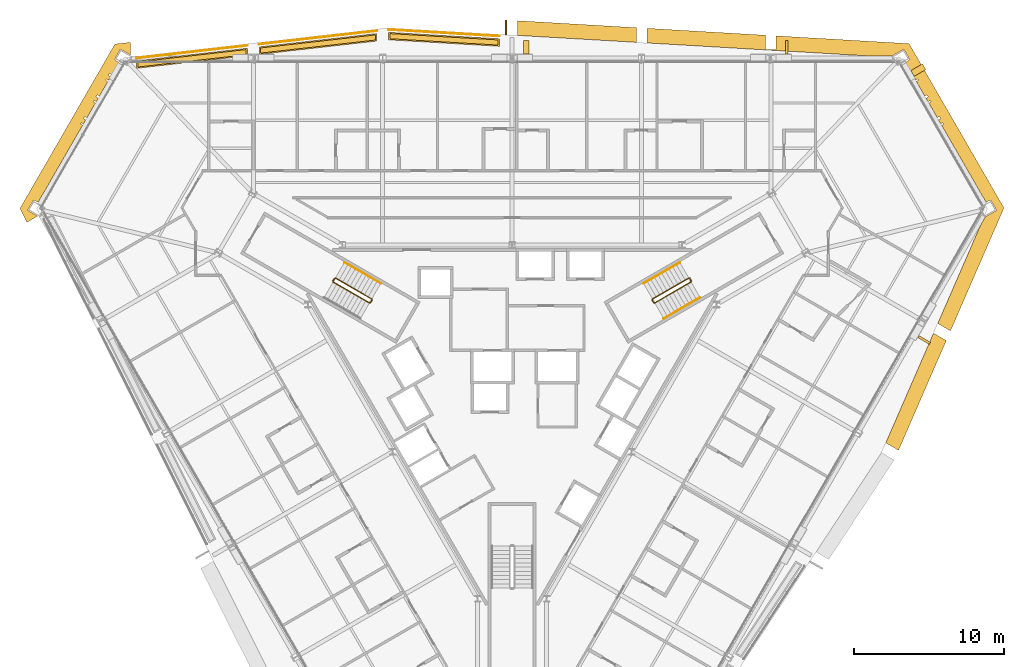
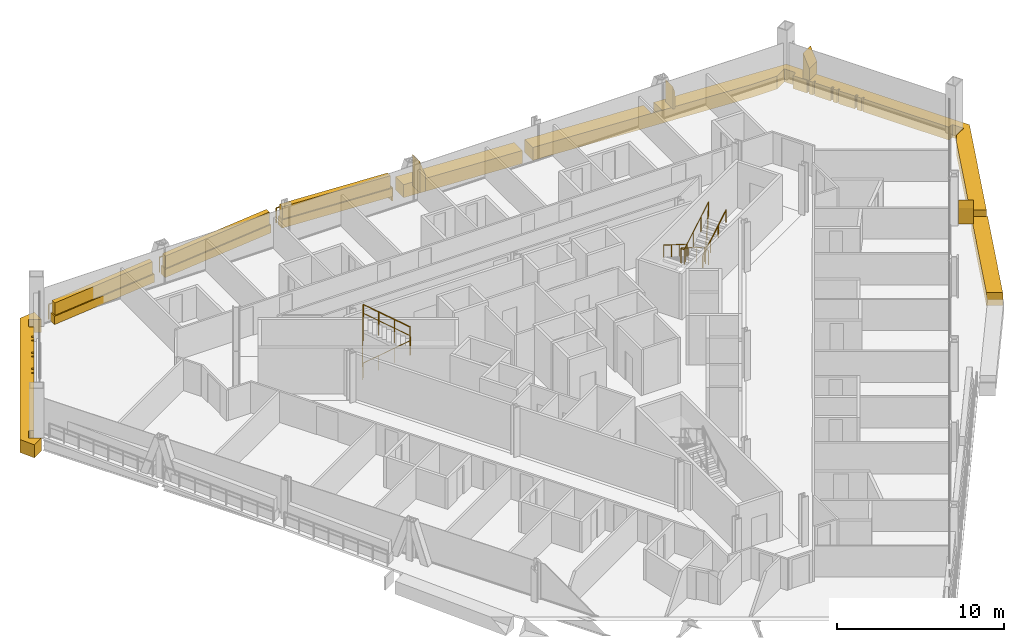
# One storey, part 18 of 18: 15 coverings, 8 railings.
"""IFC4 building model written with IfcOpenShell, lengths in metres."""

from ifc_helpers import new_model, si_unit, direction, frame, origin, origin_2d, place, context, subcontext, project, spatial, polyline, circle, outline, extrude, material, layer, layer_set, type_object, element, save


model = new_model("IFC4")

# Units and contexts
model_context = context("Model", 3, precision=1e-05, world=origin(), true_north=direction((0.0, 1.0)))
body_context = subcontext(model_context, "Body", "Model", "MODEL_VIEW")
ifc_project = project(units=[si_unit("LENGTHUNIT", "METRE"), si_unit("AREAUNIT", "SQUARE_METRE"), si_unit("VOLUMEUNIT", "CUBIC_METRE"), si_unit("PLANEANGLEUNIT", "RADIAN"), si_unit("MASSUNIT", "GRAM", prefix="KILO")], contexts=[model_context])

# Site, building, storey
site_placement = place(None, origin())
site = spatial("IfcSite", under=ifc_project, at=site_placement, CompositionType="ELEMENT")
building_placement = place(site_placement, origin())
building = spatial("IfcBuilding", under=site, at=building_placement, Name="Verrane Prism Tower", CompositionType="ELEMENT")
storey_placement = place(building_placement, frame((0.0, 0.0, 83.60009765625)))
storey = spatial("IfcBuildingStorey", under=building, at=storey_placement, Name="L19", CompositionType="ELEMENT", Elevation=83.60009765625)

# Coverings
ifc_material_1 = material(Name="Planting medium in stone kerb", Category="masonry")
covering_type_1 = type_object("IfcCoveringType", Name="Planter bed 600", PredefinedType="USERDEFINED", material=ifc_material_1)
covering_1_placement = place(storey_placement, origin())
element("IfcCovering", 1, at=covering_1_placement, inside=storey, type_object=covering_type_1, Name="Loggia planter N4 L19", ObjectType="PLANTER", PredefinedType="USERDEFINED", context=body_context, shape_type="SweptSolid", body=[
    extrude(outline(polyline([(-0.85009765625, 22.934814453125), (-8.231689453125, 23.36669921875), (-8.231689453125, 22.86669921875), (-0.85009765625, 22.434814453125), (-0.85009765625, 22.934814453125)])), origin(), (0.0, 0.0, 1.0), 0.599853515625),
])
covering_2_placement = place(storey_placement, origin())
element("IfcCovering", 2, at=covering_2_placement, inside=storey, type_object=covering_type_1, Name="Loggia planter N5 L19", ObjectType="PLANTER", PredefinedType="USERDEFINED", context=body_context, shape_type="SweptSolid", body=[
    extrude(outline(polyline([(-9.03173828125, 23.285400390625), (-16.86376953125, 22.395751953125), (-16.86376953125, 21.895751953125), (-9.03173828125, 22.785400390625), (-9.03173828125, 23.285400390625)])), origin(), (0.0, 0.0, 1.0), 0.599853515625),
])
covering_3_placement = place(storey_placement, origin())
element("IfcCovering", 3, at=covering_3_placement, inside=storey, type_object=covering_type_1, Name="Loggia planter N6 L19", ObjectType="PLANTER", PredefinedType="USERDEFINED", context=body_context, shape_type="SweptSolid", body=[
    extrude(outline(polyline([(-17.663818359375, 22.304931640625), (-25.04541015625, 21.466552734375), (-25.04541015625, 20.966552734375), (-17.663818359375, 21.804931640625), (-17.663818359375, 22.304931640625)])), origin(), (0.0, 0.0, 1.0), 0.599853515625),
])
ifc_material_2 = material(Name="Planted shrubs and grasses", Category="other")
covering_type_2 = type_object("IfcCoveringType", Name="Planting mass 1000", PredefinedType="USERDEFINED", material=ifc_material_2)
covering_4_placement = place(storey_placement, frame((0.0, 0.0, 0.599853515625)))
element("IfcCovering", 4, at=covering_4_placement, inside=storey, type_object=covering_type_2, Name="Loggia planting N4 L19", ObjectType="PLANTING", PredefinedType="USERDEFINED", context=body_context, shape_type="SweptSolid", body=[
    extrude(outline(polyline([(-8.15185546875, 23.281982421875), (-8.15185546875, 22.9423828125), (-0.929931640625, 22.519775390625), (-0.929931640625, 22.859375), (-8.15185546875, 23.281982421875)])), origin(), (0.0, 0.0, 1.0), 0.900146484375),
])
covering_5_placement = place(storey_placement, frame((0.0, 0.0, 0.599853515625)))
element("IfcCovering", 5, at=covering_5_placement, inside=storey, type_object=covering_type_2, Name="Loggia planting N5 L19", ObjectType="PLANTING", PredefinedType="USERDEFINED", context=body_context, shape_type="SweptSolid", body=[
    extrude(outline(polyline([(-16.78369140625, 22.324462890625), (-16.78369140625, 21.9853515625), (-9.11181640625, 22.856689453125), (-9.11181640625, 23.19580078125), (-16.78369140625, 22.324462890625)])), origin(), (0.0, 0.0, 1.0), 0.900146484375),
])
covering_6_placement = place(storey_placement, frame((0.0, 0.0, 0.599853515625)))
element("IfcCovering", 6, at=covering_6_placement, inside=storey, type_object=covering_type_2, Name="Loggia planting N6 L19", ObjectType="PLANTING", PredefinedType="USERDEFINED", context=body_context, shape_type="SweptSolid", body=[
    extrude(outline(polyline([(-24.965576171875, 21.39501953125), (-24.965576171875, 21.05615234375), (-17.74365234375, 21.87646484375), (-17.74365234375, 22.21533203125), (-24.965576171875, 21.39501953125)])), origin(), (0.0, 0.0, 1.0), 0.900146484375),
])

# Railings
ifc_material_3 = material(Name="Steel A36 rail and posts, no infill", Category="steel")
railing_type_1 = type_object("IfcRailingType", Name="Stair guard 1100 steel rail and posts", PredefinedType="GUARDRAIL", material=ifc_material_3)
railing_1_placement = place(storey_placement, frame((11.78955078125, 6.97998046875, 0.16357421875)))
element("IfcRailing", 7, at=railing_1_placement, inside=storey, type_object=railing_type_1, Name="Stair 1 guard", PredefinedType="GUARDRAIL", context=body_context, shape_type="SweptSolid", body=[
    extrude(circle(Radius=0.02392578125, at=origin_2d()), frame((0.0, 0.0, 1.076171875), z_axis=(-0.747693913401, -0.431738279637, 0.504535300807), x_axis=(0.500049511043, -0.865996816683, 0.0)), (0.0, 0.0, 1.0), 3.2431640625),
    extrude(circle(Radius=0.02392578125, at=origin_2d()), frame((-2.4248046875, -1.400146484375, 2.71240234375), z_axis=(-0.259601060869, -0.965715946433, 0.0), x_axis=(0.965715946433, -0.259601060869, 0.0)), (0.0, 0.0, 1.0), 0.070556640625),
    extrude(circle(Radius=0.02392578125, at=origin_2d()), frame((-2.443115234375, -1.46826171875, 2.71240234375), z_axis=(0.499158860599, -0.866510491504, 0.0), x_axis=(0.866510491504, 0.499158860599, 0.0)), (0.0, 0.0, 1.0), 0.199951171875),
    extrude(circle(Radius=0.02392578125, at=origin_2d()), frame((-2.34326171875, -1.6416015625, 2.71240234375), z_axis=(0.383070988865, -0.102608300589, 0.918002262601), x_axis=(0.258736085224, 0.965948051503, 0.0)), (0.0, 0.0, 1.0), 0.178466796875),
    extrude(circle(Radius=0.02392578125, at=origin_2d()), frame((-2.27490234375, -1.659912109375, 2.8759765625), z_axis=(0.747693913401, 0.431738279637, 0.504535300807), x_axis=(-0.500049511043, 0.865996816683, 0.0)), (0.0, 0.0, 1.0), 3.2431640625),
    extrude(circle(Radius=0.02392578125, at=origin_2d()), frame((0.14990234375, -0.259765625, 4.51220703125), z_axis=(-0.022595193939, 0.066906128161, -0.9975033971), x_axis=(-0.947430582667, -0.3199613899, 0.0)), (0.0, 0.0, 1.0), 3.60888671875),
    extrude(circle(Radius=0.02392578125, at=origin_2d()), frame((0.068359375, -0.018310546875, 0.91259765625), z_axis=(0.499158860599, -0.866510491504, 0.0), x_axis=(0.866510491504, 0.499158860599, 0.0)), (0.0, 0.0, 1.0), 0.199951171875),
    extrude(circle(Radius=0.02099609375, at=origin_2d()), origin(), (0.0, 0.0, 1.0), 1.052001953125),
    extrude(circle(Radius=0.02099609375, at=origin_2d()), frame((-0.808349609375, -0.466796875, 0.54541015625)), (0.0, 0.0, 1.0), 1.052001953125),
    extrude(circle(Radius=0.02099609375, at=origin_2d()), frame((-1.616455078125, -0.933349609375, 1.0908203125)), (0.0, 0.0, 1.0), 1.052001953125),
    extrude(circle(Radius=0.02099609375, at=origin_2d()), frame((-2.4248046875, -1.400146484375, 1.63623046875)), (0.0, 0.0, 1.0), 1.052001953125),
    extrude(circle(Radius=0.02099609375, at=origin_2d()), frame((-2.443115234375, -1.46826171875, 1.63623046875)), (0.0, 0.0, 1.0), 1.052001953125),
    extrude(circle(Radius=0.02099609375, at=origin_2d()), frame((-2.34326171875, -1.6416015625, 1.63623046875)), (0.0, 0.0, 1.0), 1.052001953125),
    extrude(circle(Radius=0.02099609375, at=origin_2d()), frame((-2.27490234375, -1.659912109375, 1.800048828125)), (0.0, 0.0, 1.0), 1.052001953125),
    extrude(circle(Radius=0.02099609375, at=origin_2d()), frame((-1.466552734375, -1.193115234375, 2.345458984375)), (0.0, 0.0, 1.0), 1.052001953125),
    extrude(circle(Radius=0.02099609375, at=origin_2d()), frame((-0.658447265625, -0.7265625, 2.890869140625)), (0.0, 0.0, 1.0), 1.052001953125),
    extrude(circle(Radius=0.02099609375, at=origin_2d()), frame((0.14990234375, -0.259765625, 3.436279296875)), (0.0, 0.0, 1.0), 1.052001953125),
    extrude(circle(Radius=0.02099609375, at=origin_2d()), frame((0.12939453125, -0.199462890625, 2.536376953125)), (0.0, 0.0, 1.0), 1.052001953125),
    extrude(circle(Radius=0.02099609375, at=origin_2d()), frame((0.109130859375, -0.13916015625, 1.63623046875)), (0.0, 0.0, 1.0), 1.052001953125),
    extrude(circle(Radius=0.02099609375, at=origin_2d()), frame((0.0888671875, -0.07861328125, 0.736328125)), (0.0, 0.0, 1.0), 1.052001953125),
    extrude(circle(Radius=0.02099609375, at=origin_2d()), frame((0.068359375, -0.018310546875, -0.16357421875)), (0.0, 0.0, 1.0), 1.052001953125),
    extrude(circle(Radius=0.02099609375, at=origin_2d()), frame((0.168212890625, -0.191650390625, -0.16357421875)), (0.0, 0.0, 1.0), 1.052001953125),
])
railing_2_placement = place(storey_placement, frame((-11.939453125, 6.72021484375, 0.16357421875)))
element("IfcRailing", 8, at=railing_2_placement, inside=storey, type_object=railing_type_1, Name="Stair 2 guard", PredefinedType="GUARDRAIL", context=body_context, shape_type="SweptSolid", body=[
    extrude(circle(Radius=0.02392578125, at=origin_2d()), frame((0.0, 0.0, 1.076171875), z_axis=(0.747693913401, -0.431738279637, 0.504535300807), x_axis=(0.500049511043, 0.865996816683, 0.0)), (0.0, 0.0, 1.0), 3.2431640625),
    extrude(circle(Radius=0.02392578125, at=origin_2d()), frame((2.4248046875, -1.400146484375, 2.71240234375), z_axis=(0.965948051503, 0.258736085224, 0.0), x_axis=(-0.258736085224, 0.965948051503, 0.0)), (0.0, 0.0, 1.0), 0.07080078125),
    extrude(circle(Radius=0.02392578125, at=origin_2d()), frame((2.4931640625, -1.3818359375, 2.71240234375), z_axis=(0.499158860599, 0.866510491504, 0.0), x_axis=(-0.866510491504, 0.499158860599, 0.0)), (0.0, 0.0, 1.0), 0.199951171875),
    extrude(circle(Radius=0.02392578125, at=origin_2d()), frame((2.593017578125, -1.20849609375, 2.71240234375), z_axis=(-0.10266202204, 0.381902721988, 0.918482890515), x_axis=(-0.965715946433, -0.259601060869, 0.0)), (0.0, 0.0, 1.0), 0.178466796875),
    extrude(circle(Radius=0.02392578125, at=origin_2d()), frame((2.57470703125, -1.140380859375, 2.8759765625), z_axis=(-0.747693913401, 0.431738279637, 0.504535300807), x_axis=(-0.500049511043, -0.865996816683, 0.0)), (0.0, 0.0, 1.0), 3.2431640625),
    extrude(circle(Radius=0.02392578125, at=origin_2d()), frame((0.14990234375, 0.259765625, 4.51220703125), z_axis=(-0.046610908435, -0.053105316576, -0.997500500534), x_axis=(0.751567565678, -0.659656118156, 0.0)), (0.0, 0.0, 1.0), 3.60888671875),
    extrude(circle(Radius=0.02392578125, at=origin_2d()), frame((-0.018310546875, 0.068115234375, 0.91259765625), z_axis=(0.499158860599, 0.866510491504, 0.0), x_axis=(-0.866510491504, 0.499158860599, 0.0)), (0.0, 0.0, 1.0), 0.199951171875),
    extrude(circle(Radius=0.02099609375, at=origin_2d()), origin(), (0.0, 0.0, 1.0), 1.052001953125),
    extrude(circle(Radius=0.02099609375, at=origin_2d()), frame((0.808349609375, -0.466796875, 0.54541015625)), (0.0, 0.0, 1.0), 1.052001953125),
    extrude(circle(Radius=0.02099609375, at=origin_2d()), frame((1.616455078125, -0.933349609375, 1.0908203125)), (0.0, 0.0, 1.0), 1.052001953125),
    extrude(circle(Radius=0.02099609375, at=origin_2d()), frame((2.4248046875, -1.400146484375, 1.63623046875)), (0.0, 0.0, 1.0), 1.052001953125),
    extrude(circle(Radius=0.02099609375, at=origin_2d()), frame((2.4931640625, -1.3818359375, 1.63623046875)), (0.0, 0.0, 1.0), 1.052001953125),
    extrude(circle(Radius=0.02099609375, at=origin_2d()), frame((2.593017578125, -1.20849609375, 1.63623046875)), (0.0, 0.0, 1.0), 1.052001953125),
    extrude(circle(Radius=0.02099609375, at=origin_2d()), frame((2.57470703125, -1.140380859375, 1.800048828125)), (0.0, 0.0, 1.0), 1.052001953125),
    extrude(circle(Radius=0.02099609375, at=origin_2d()), frame((1.766357421875, -0.673583984375, 2.345458984375)), (0.0, 0.0, 1.0), 1.052001953125),
    extrude(circle(Radius=0.02099609375, at=origin_2d()), frame((0.958251953125, -0.20703125, 2.890869140625)), (0.0, 0.0, 1.0), 1.052001953125),
    extrude(circle(Radius=0.02099609375, at=origin_2d()), frame((0.14990234375, 0.259765625, 3.436279296875)), (0.0, 0.0, 1.0), 1.052001953125),
    extrude(circle(Radius=0.02099609375, at=origin_2d()), frame((0.10791015625, 0.2119140625, 2.536376953125)), (0.0, 0.0, 1.0), 1.052001953125),
    extrude(circle(Radius=0.02099609375, at=origin_2d()), frame((0.06591796875, 0.1640625, 1.63623046875)), (0.0, 0.0, 1.0), 1.052001953125),
    extrude(circle(Radius=0.02099609375, at=origin_2d()), frame((0.023681640625, 0.115966796875, 0.736328125)), (0.0, 0.0, 1.0), 1.052001953125),
    extrude(circle(Radius=0.02099609375, at=origin_2d()), frame((-0.018310546875, 0.068115234375, -0.16357421875)), (0.0, 0.0, 1.0), 1.052001953125),
    extrude(circle(Radius=0.02099609375, at=origin_2d()), frame((0.08154296875, 0.241455078125, -0.16357421875)), (0.0, 0.0, 1.0), 1.052001953125),
])
ifc_material_4 = material(Name="Steel A36 tube", Category="steel")
railing_type_2 = type_object("IfcRailingType", Name="Stair handrail 900 steel tube", PredefinedType="HANDRAIL", material=ifc_material_4)
railing_3_placement = place(storey_placement, frame((11.189453125, 8.01904296875, 0.16357421875)))
element("IfcRailing", 9, at=railing_3_placement, inside=storey, type_object=railing_type_2, Name="Stair 1 handrail", PredefinedType="HANDRAIL", context=body_context, shape_type="SweptSolid", body=[
    extrude(circle(Radius=0.02392578125, at=origin_2d()), frame((0.0, 0.0, 0.8759765625), z_axis=(-0.74771821388, -0.431677027627, 0.504551698492), x_axis=(0.49998411664, -0.866034573852, 0.0)), (0.0, 0.0, 1.0), 3.242919921875),
    extrude(circle(Radius=0.02099609375, at=origin_2d()), origin(), (0.0, 0.0, 1.0), 0.851806640625),
    extrude(circle(Radius=0.02099609375, at=origin_2d()), frame((-0.808349609375, -0.466552734375, 0.54541015625)), (0.0, 0.0, 1.0), 0.851806640625),
    extrude(circle(Radius=0.02099609375, at=origin_2d()), frame((-1.616455078125, -0.933349609375, 1.0908203125)), (0.0, 0.0, 1.0), 0.851806640625),
    extrude(circle(Radius=0.02099609375, at=origin_2d()), frame((-2.4248046875, -1.39990234375, 1.63623046875)), (0.0, 0.0, 1.0), 0.851806640625),
])
railing_4_placement = place(storey_placement, frame((10.11474609375, 4.28076171875, 1.963623046875)))
element("IfcRailing", 10, at=railing_4_placement, inside=storey, type_object=railing_type_2, Name="Stair 1 handrail", PredefinedType="HANDRAIL", context=body_context, shape_type="SweptSolid", body=[
    extrude(circle(Radius=0.02392578125, at=origin_2d()), frame((0.0, 0.0, 0.8759765625), z_axis=(0.747693913401, 0.431738279637, 0.504535300807), x_axis=(-0.500049511043, 0.865996816683, 0.0)), (0.0, 0.0, 1.0), 3.2431640625),
    extrude(circle(Radius=0.02099609375, at=origin_2d()), origin(), (0.0, 0.0, 1.0), 0.851806640625),
    extrude(circle(Radius=0.02099609375, at=origin_2d()), frame((0.808349609375, 0.466796875, 0.54541015625)), (0.0, 0.0, 1.0), 0.851806640625),
    extrude(circle(Radius=0.02099609375, at=origin_2d()), frame((1.616455078125, 0.933349609375, 1.0908203125)), (0.0, 0.0, 1.0), 0.851806640625),
    extrude(circle(Radius=0.02099609375, at=origin_2d()), frame((2.4248046875, 1.400146484375, 1.63623046875)), (0.0, 0.0, 1.0), 0.851806640625),
])
railing_5_placement = place(storey_placement, frame((-8.7646484375, 6.619140625, 1.963623046875)))
element("IfcRailing", 11, at=railing_5_placement, inside=storey, type_object=railing_type_2, Name="Stair 2 handrail", PredefinedType="HANDRAIL", context=body_context, shape_type="SweptSolid", body=[
    extrude(circle(Radius=0.02392578125, at=origin_2d()), frame((0.0, 0.0, 0.8759765625), z_axis=(-0.74771821388, 0.431677027627, 0.504551698492), x_axis=(-0.49998411664, -0.866034573852, 0.0)), (0.0, 0.0, 1.0), 3.242919921875),
    extrude(circle(Radius=0.02099609375, at=origin_2d()), origin(), (0.0, 0.0, 1.0), 0.851806640625),
    extrude(circle(Radius=0.02099609375, at=origin_2d()), frame((-0.808349609375, 0.466552734375, 0.54541015625)), (0.0, 0.0, 1.0), 0.851806640625),
    extrude(circle(Radius=0.02099609375, at=origin_2d()), frame((-1.616455078125, 0.933349609375, 1.0908203125)), (0.0, 0.0, 1.0), 0.851806640625),
    extrude(circle(Radius=0.02099609375, at=origin_2d()), frame((-2.4248046875, 1.39990234375, 1.63623046875)), (0.0, 0.0, 1.0), 0.851806640625),
])

# Coverings
ifc_material_5 = material(Name="Warm limestone cladding", Category="masonry")
ifc_layer_1 = layer(ifc_material_5, 0.89990234375)
ifc_layer_set_1 = layer_set([ifc_layer_1], Name="Stone brace fin 900")
covering_type_3 = type_object("IfcCoveringType", Name="Stone brace fin 900", PredefinedType="CLADDING", material=ifc_layer_set_1)
covering_7_placement = place(storey_placement, frame((18.395751953125, 22.3740234375, 0.0), z_axis=(0.0, 0.0, 1.0), x_axis=(-1.0, 0.0, 0.0)))
element("IfcCovering", 12, at=covering_7_placement, inside=storey, type_object=covering_type_3, Name="Stone brace fin N1 L19", PredefinedType="CLADDING", context=body_context, shape_type="SweptSolid", body=[
    extrude(outline(polyline([(0.0, 0.0), (0.1533203125, 0.0), (0.1533203125, 1.640869140625), (0.0, 1.1806640625), (0.0, 0.0)])), frame((0.0, 0.449951171875, 0.0), z_axis=(0.0, -1.0, 0.0), x_axis=(1.0, 0.0, 0.0)), (0.0, 0.0, 1.0), 0.89990234375),
])
covering_8_placement = place(storey_placement, frame((1.134033203125, 22.3740234375, 0.0), z_axis=(0.0, 0.0, 1.0), x_axis=(-1.0, 0.0, 0.0)))
element("IfcCovering", 13, at=covering_8_placement, inside=storey, type_object=covering_type_3, Name="Stone brace fin N3 L19", PredefinedType="CLADDING", context=body_context, shape_type="SweptSolid", body=[
    extrude(outline(polyline([(0.0, 0.0), (0.37548828125, 0.0), (0.37548828125, 2.30322265625), (0.0, 1.178466796875), (0.0, 0.0)])), frame((0.0, 0.449951171875, 0.0), z_axis=(0.0, -1.0, 0.0), x_axis=(1.0, 0.0, 0.0)), (0.0, 0.0, 1.0), 0.89990234375),
])
covering_9_placement = place(storey_placement, frame((27.44140625, 2.7841796875, 0.0), z_axis=(0.0, 0.0, 1.0), x_axis=(0.501789607791, 0.864989704859, 0.0)))
element("IfcCovering", 14, at=covering_9_placement, inside=storey, type_object=covering_type_3, Name="Stone brace fin SE5 L19", PredefinedType="CLADDING", context=body_context, shape_type="SweptSolid", body=[
    extrude(outline(polyline([(0.0, 0.0), (0.1533203125, 0.0), (0.1533203125, 1.641845703125), (0.0, 1.181640625), (0.0, 0.0)])), frame((0.0, 0.449951171875, 0.0), z_axis=(0.0, -1.0, 0.0), x_axis=(1.0, 0.0, 0.0)), (0.0, 0.0, 1.0), 0.89990234375),
])
covering_10_placement = place(storey_placement, frame((27.206787109375, 20.65966796875, 0.0), z_axis=(0.0, 0.0, 1.0), x_axis=(-0.498926803891, 0.866644127863, 0.0)))
element("IfcCovering", 15, at=covering_10_placement, inside=storey, type_object=covering_type_3, Name="Stone brace fin NE1 L19", PredefinedType="CLADDING", context=body_context, shape_type="SweptSolid", body=[
    extrude(outline(polyline([(0.0, 0.0), (0.44287109375, 0.0), (0.44287109375, 1.837890625), (0.0, 0.8525390625), (0.0, 0.0)])), frame((0.0, 0.449951171875, 0.0), z_axis=(0.0, -1.0, 0.0), x_axis=(1.0, 0.0, 0.0)), (0.0, 0.0, 1.0), 0.89990234375),
])
ifc_material_6 = material(Name="Warm limestone cladding", Category="masonry")
ifc_layer_2 = layer(ifc_material_6, 0.449951171875)
ifc_layer_set_2 = layer_set([ifc_layer_2], Name="Stone spandrel band 450")
covering_type_4 = type_object("IfcCoveringType", Name="Stone spandrel band 450", PredefinedType="CLADDING", material=ifc_layer_set_2)
covering_11_placement = place(storey_placement, frame((0.0, 0.0, -0.9501953125)))
element("IfcCovering", 16, at=covering_11_placement, inside=storey, type_object=covering_type_4, Name="Stone spandrel band L19 part 1", PredefinedType="CLADDING", context=body_context, shape_type="SweptSolid", body=[
    extrude(outline(polyline([(8.981689453125, 22.65966796875), (23.616455078125, 21.803466796875), (25.37109375, 21.803466796875), (26.125732421875, 22.239013671875), (26.505615234375, 21.580810546875), (26.486328125, 21.56982421875), (26.436279296875, 21.486572265625), (26.2255859375, 21.36474609375), (26.698486328125, 20.545654296875), (26.845458984375, 20.63037109375), (26.9228515625, 20.49609375), (26.776123046875, 20.411376953125), (26.912109375, 20.17578125), (27.05859375, 20.260498046875), (27.106689453125, 20.17724609375), (26.960205078125, 20.0927734375), (27.525634765625, 19.11328125), (27.67138671875, 19.197265625), (27.751220703125, 19.05908203125), (27.605224609375, 18.97509765625), (27.7431640625, 18.736572265625), (27.888671875, 18.8203125), (27.936767578125, 18.7373046875), (27.791015625, 18.6533203125), (28.356689453125, 17.673828125), (28.50146484375, 17.75732421875), (28.5810546875, 17.619140625), (28.436279296875, 17.535888671875), (28.587646484375, 17.273681640625), (28.743896484375, 17.322998046875), (28.773193359375, 17.230712890625), (28.63720703125, 17.187744140625), (31.61572265625, 12.02880859375), (31.822265625, 12.148193359375), (31.916748046875, 12.148193359375), (31.935791015625, 12.1591796875), (32.315673828125, 11.5009765625), (31.566650390625, 11.068603515625), (31.242919921875, 10.5078125), (28.38818359375, 3.948486328125), (29.24072265625, 3.456298828125), (32.80810546875, 11.653076171875), (26.47900390625, 22.615478515625), (17.61376953125, 23.13427734375), (17.61376953125, 22.214599609375), (16.913818359375, 22.214599609375), (16.913818359375, 23.17529296875), (8.981689453125, 23.639404296875), (8.981689453125, 22.65966796875)])), origin(), (0.0, 0.0, 1.0), 0.9501953125),
])
covering_12_placement = place(storey_placement, frame((0.0, 0.0, -0.9501953125)))
element("IfcCovering", 17, at=covering_12_placement, inside=storey, type_object=covering_type_4, Name="Stone spandrel band L19 part 3", PredefinedType="CLADDING", context=body_context, shape_type="SweptSolid", body=[
    extrude(outline(polyline([(-32.36083984375, 10.698486328125), (-31.643310546875, 11.11279296875), (-32.315673828125, 11.5009765625), (-31.935791015625, 12.1591796875), (-31.916748046875, 12.148193359375), (-31.822265625, 12.148193359375), (-31.61572265625, 12.02880859375), (-28.63720703125, 17.187744140625), (-28.773193359375, 17.230712890625), (-28.743896484375, 17.322998046875), (-28.587646484375, 17.273681640625), (-28.436279296875, 17.535888671875), (-28.5810546875, 17.619140625), (-28.50146484375, 17.75732421875), (-28.356689453125, 17.673828125), (-27.791015625, 18.6533203125), (-27.936767578125, 18.7373046875), (-27.888671875, 18.8203125), (-27.7431640625, 18.736572265625), (-27.605224609375, 18.97509765625), (-27.751220703125, 19.05908203125), (-27.67138671875, 19.197265625), (-27.525634765625, 19.11328125), (-26.960205078125, 20.0927734375), (-27.106689453125, 20.17724609375), (-27.05859375, 20.260498046875), (-26.912109375, 20.17578125), (-26.776123046875, 20.411376953125), (-26.9228515625, 20.49609375), (-26.845458984375, 20.63037109375), (-26.698486328125, 20.545654296875), (-26.2255859375, 21.36474609375), (-26.436279296875, 21.486572265625), (-26.486328125, 21.56982421875), (-26.505615234375, 21.580810546875), (-26.125732421875, 22.239013671875), (-25.445556640625, 21.846435546875), (-25.445556640625, 22.70556640625), (-26.495849609375, 22.586181640625), (-32.8251953125, 11.623779296875), (-32.36083984375, 10.698486328125)])), origin(), (0.0, 0.0, 1.0), 0.9501953125),
])
covering_13_placement = place(storey_placement, frame((0.0, 0.0, -0.9501953125)))
element("IfcCovering", 18, at=covering_13_placement, inside=storey, type_object=covering_type_4, Name="Stone spandrel band L19 part 7", PredefinedType="CLADDING", context=body_context, shape_type="SweptSolid", body=[
    extrude(outline(polyline([(25.77392578125, -4.50927734375), (28.959716796875, 2.810302734375), (28.107177734375, 3.302490234375), (24.92138671875, -4.01708984375), (25.77392578125, -4.50927734375)])), origin(), (0.0, 0.0, 1.0), 0.9501953125),
])
covering_14_placement = place(storey_placement, frame((0.0, 0.0, -0.9501953125)))
element("IfcCovering", 19, at=covering_14_placement, inside=storey, type_object=covering_type_4, Name="Stone spandrel band L19 part 8", PredefinedType="CLADDING", context=body_context, shape_type="SweptSolid", body=[
    extrude(outline(polyline([(0.35009765625, 23.164794921875), (8.28173828125, 22.70068359375), (8.28173828125, 23.680419921875), (0.35009765625, 24.144287109375), (0.35009765625, 23.164794921875)])), origin(), (0.0, 0.0, 1.0), 0.9501953125),
])
covering_15_placement = place(storey_placement, frame((0.0, 0.0, -0.9501953125)))
element("IfcCovering", 20, at=covering_15_placement, inside=storey, type_object=covering_type_4, Name="Stone spandrel band L19 part 11", PredefinedType="CLADDING", context=body_context, shape_type="SweptSolid", body=[
    extrude(outline(polyline([(-0.35009765625, 24.185302734375), (-0.449951171875, 24.19140625), (-0.449951171875, 23.21142578125), (-0.35009765625, 23.20556640625), (-0.35009765625, 24.185302734375)])), origin(), (0.0, 0.0, 1.0), 0.9501953125),
])

# Railings
ifc_material_7 = material(Name="Stainless steel and laminated glass", Category="steel")
railing_type_3 = type_object("IfcRailingType", Name="Terrace guard 1100", PredefinedType="GUARDRAIL", material=ifc_material_7)
railing_6_placement = place(storey_placement, frame((-0.85009765625, 23.114990234375, 0.0)))
element("IfcRailing", 21, at=railing_6_placement, inside=storey, type_object=railing_type_3, Name="Loggia guard N4 L19", PredefinedType="GUARDRAIL", context=body_context, shape_type="SweptSolid", body=[
    extrude(circle(Radius=0.02392578125, at=origin_2d()), frame((0.0, 0.0, 1.076171875), z_axis=(-0.99829276835, 0.05840846394, 0.0), x_axis=(-0.05840846394, -0.99829276835, 0.0)), (0.0, 0.0, 1.0), 7.394287109375),
    extrude(circle(Radius=0.02099609375, at=origin_2d()), origin(), (0.0, 0.0, 1.0), 1.052001953125),
    extrude(circle(Radius=0.02099609375, at=origin_2d()), frame((-1.054443359375, 0.061767578125, 0.0)), (0.0, 0.0, 1.0), 1.052001953125),
    extrude(circle(Radius=0.02099609375, at=origin_2d()), frame((-2.109130859375, 0.123291015625, 0.0)), (0.0, 0.0, 1.0), 1.052001953125),
    extrude(circle(Radius=0.02099609375, at=origin_2d()), frame((-3.16357421875, 0.18505859375, 0.0)), (0.0, 0.0, 1.0), 1.052001953125),
    extrude(circle(Radius=0.02099609375, at=origin_2d()), frame((-4.218017578125, 0.246826171875, 0.0)), (0.0, 0.0, 1.0), 1.052001953125),
    extrude(circle(Radius=0.02099609375, at=origin_2d()), frame((-5.2724609375, 0.30859375, 0.0)), (0.0, 0.0, 1.0), 1.052001953125),
    extrude(circle(Radius=0.02099609375, at=origin_2d()), frame((-6.3271484375, 0.3701171875, 0.0)), (0.0, 0.0, 1.0), 1.052001953125),
    extrude(circle(Radius=0.02099609375, at=origin_2d()), frame((-7.381591796875, 0.431884765625, 0.0)), (0.0, 0.0, 1.0), 1.052001953125),
])
railing_7_placement = place(storey_placement, frame((-9.03173828125, 23.46533203125, 0.0)))
element("IfcRailing", 22, at=railing_7_placement, inside=storey, type_object=railing_type_3, Name="Loggia guard N5 L19", PredefinedType="GUARDRAIL", context=body_context, shape_type="SweptSolid", body=[
    extrude(circle(Radius=0.02392578125, at=origin_2d()), frame((0.0, 0.0, 1.076171875), z_axis=(-0.993610308014, -0.112865210798, 0.0), x_axis=(0.112865210798, -0.993610308014, 0.0)), (0.0, 0.0, 1.0), 7.88232421875),
    extrude(circle(Radius=0.02099609375, at=origin_2d()), origin(), (0.0, 0.0, 1.0), 1.052001953125),
    extrude(circle(Radius=0.02099609375, at=origin_2d()), frame((-1.118896484375, -0.127197265625, 0.0)), (0.0, 0.0, 1.0), 1.052001953125),
    extrude(circle(Radius=0.02099609375, at=origin_2d()), frame((-2.23779296875, -0.254150390625, 0.0)), (0.0, 0.0, 1.0), 1.052001953125),
    extrude(circle(Radius=0.02099609375, at=origin_2d()), frame((-3.356689453125, -0.38134765625, 0.0)), (0.0, 0.0, 1.0), 1.052001953125),
    extrude(circle(Radius=0.02099609375, at=origin_2d()), frame((-4.475341796875, -0.50830078125, 0.0)), (0.0, 0.0, 1.0), 1.052001953125),
    extrude(circle(Radius=0.02099609375, at=origin_2d()), frame((-5.59423828125, -0.635498046875, 0.0)), (0.0, 0.0, 1.0), 1.052001953125),
    extrude(circle(Radius=0.02099609375, at=origin_2d()), frame((-6.713134765625, -0.762451171875, 0.0)), (0.0, 0.0, 1.0), 1.052001953125),
    extrude(circle(Radius=0.02099609375, at=origin_2d()), frame((-7.83203125, -0.8896484375, 0.0)), (0.0, 0.0, 1.0), 1.052001953125),
])
railing_8_placement = place(storey_placement, frame((-17.663818359375, 22.485107421875, 0.0)))
element("IfcRailing", 23, at=railing_8_placement, inside=storey, type_object=railing_type_3, Name="Loggia guard N6 L19", PredefinedType="GUARDRAIL", context=body_context, shape_type="SweptSolid", body=[
    extrude(circle(Radius=0.02392578125, at=origin_2d()), frame((0.0, 0.0, 1.076171875), z_axis=(-0.993608187141, -0.112883880365, 0.0), x_axis=(0.112883880365, -0.993608187141, 0.0)), (0.0, 0.0, 1.0), 7.428955078125),
    extrude(circle(Radius=0.02099609375, at=origin_2d()), origin(), (0.0, 0.0, 1.0), 1.052001953125),
    extrude(circle(Radius=0.02099609375, at=origin_2d()), frame((-1.054443359375, -0.119873046875, 0.0)), (0.0, 0.0, 1.0), 1.052001953125),
    extrude(circle(Radius=0.02099609375, at=origin_2d()), frame((-2.109130859375, -0.239501953125, 0.0)), (0.0, 0.0, 1.0), 1.052001953125),
    extrude(circle(Radius=0.02099609375, at=origin_2d()), frame((-3.16357421875, -0.359375, 0.0)), (0.0, 0.0, 1.0), 1.052001953125),
    extrude(circle(Radius=0.02099609375, at=origin_2d()), frame((-4.218017578125, -0.479248046875, 0.0)), (0.0, 0.0, 1.0), 1.052001953125),
    extrude(circle(Radius=0.02099609375, at=origin_2d()), frame((-5.2724609375, -0.59912109375, 0.0)), (0.0, 0.0, 1.0), 1.052001953125),
    extrude(circle(Radius=0.02099609375, at=origin_2d()), frame((-6.3271484375, -0.71875, 0.0)), (0.0, 0.0, 1.0), 1.052001953125),
    extrude(circle(Radius=0.02099609375, at=origin_2d()), frame((-7.381591796875, -0.838623046875, 0.0)), (0.0, 0.0, 1.0), 1.052001953125),
])

save(model, "model.ifc")
